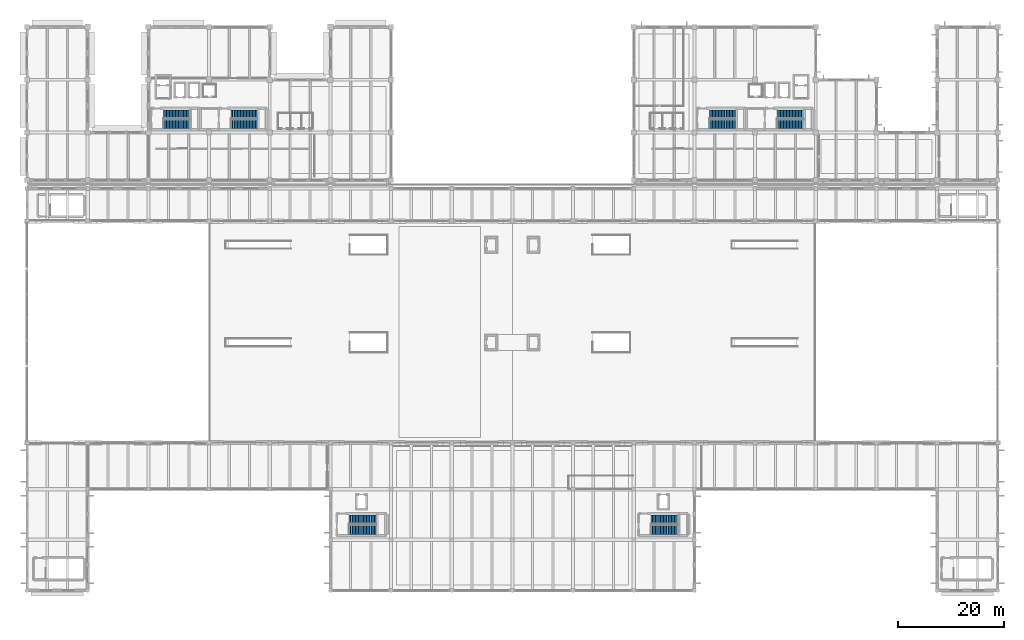
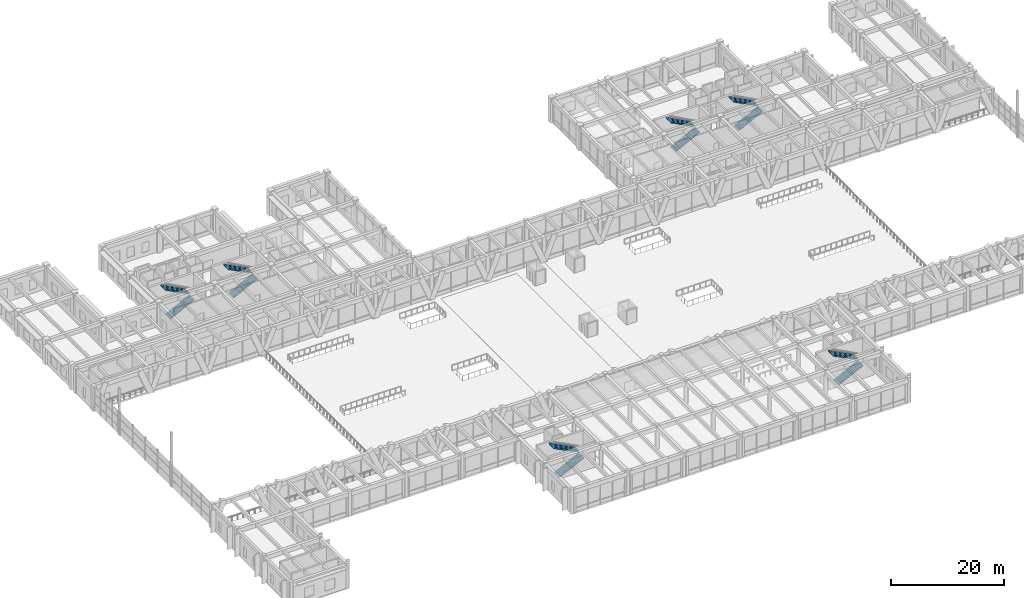
# One storey, part 135 of 148: 12 stair flights, 6 elements without a shape of their own.
"""IFC4 building model written with IfcOpenShell, lengths in metres."""

from ifc_helpers import new_model, si_unit, direction, frame, origin, place, context, subcontext, project, spatial, polyline, outline, extrude, material, type_object, element, aggregate, save


model = new_model("IFC4")

# Units and contexts
model_context = context("Model", 3, precision=1e-05, world=origin(), true_north=direction((0.0, 1.0)))
body_context = subcontext(model_context, "Body", "Model", "MODEL_VIEW")
ifc_project = project(units=[si_unit("LENGTHUNIT", "METRE"), si_unit("AREAUNIT", "SQUARE_METRE"), si_unit("VOLUMEUNIT", "CUBIC_METRE"), si_unit("PLANEANGLEUNIT", "RADIAN"), si_unit("MASSUNIT", "GRAM", prefix="KILO")], contexts=[model_context])

# Site, building, storey
site_placement = place(None, origin())
site = spatial("IfcSite", under=ifc_project, at=site_placement, CompositionType="ELEMENT")
building_placement = place(site_placement, origin())
building = spatial("IfcBuilding", under=site, at=building_placement, Name="Ologun Quay Terminus", CompositionType="ELEMENT")
storey_placement = place(building_placement, frame((0.0, 0.0, 8.39990234375)))
storey = spatial("IfcBuildingStorey", under=building, at=storey_placement, Name="L02", CompositionType="ELEMENT", Elevation=8.39990234375)

# Stair, stair flights
ifc_material_1 = material(Name="Concrete C40/50", Category="concrete")
stair_type_1 = type_object("IfcStairType", Name="Courtyard Wing Concourse Core Stair 1700", PredefinedType="HALF_TURN_STAIR", material=ifc_material_1)
stair_1_placement = place(storey_placement, origin())
stair_1 = element("IfcStair", 1, at=stair_1_placement, inside=storey, type_object=stair_type_1, Name="ST-W1 Stair L02", PredefinedType="HALF_TURN_STAIR")
ifc_material_2 = material(Name="Concrete C40/50", Category="concrete")
stair_flight_type_1 = type_object("IfcStairFlightType", Name="Courtyard Wing Precast Concrete Stair Flight 1700", PredefinedType="STRAIGHT", material=ifc_material_2)
stair_flight_1_placement = place(storey_placement, frame((25.85009765625, 96.449951171875, 0.0), z_axis=(0.0, 0.0, 1.0), x_axis=(1.0, 0.0, 0.0)))
stair_flight_1 = element("IfcStairFlight", 2, at=stair_flight_1_placement, type_object=stair_flight_type_1, Name="ST-W1 Lower Flight L02", NumberOfRisers=18, NumberOfTreads=17, PredefinedType="STRAIGHT", RiserHeight=0.15, TreadLength=0.29, context=body_context, shape_type="SweptSolid", body=[
    extrude(outline(polyline([(0.0, 0.0), (0.0, 0.14990234375), (0.2900390625, 0.14990234375), (0.2900390625, 0.300048828125), (0.580078125, 0.300048828125), (0.580078125, 0.449951171875), (0.8701171875, 0.449951171875), (0.8701171875, 0.60009765625), (1.159912109375, 0.60009765625), (1.159912109375, 0.75), (1.449951171875, 0.75), (1.449951171875, 0.89990234375), (1.739990234375, 0.89990234375), (1.739990234375, 1.050048828125), (2.030029296875, 1.050048828125), (2.030029296875, 1.199951171875), (2.320068359375, 1.199951171875), (2.320068359375, 1.35009765625), (2.610107421875, 1.35009765625), (2.610107421875, 1.5), (2.89990234375, 1.5), (2.89990234375, 1.64990234375), (3.18994140625, 1.64990234375), (3.18994140625, 1.800048828125), (3.47998046875, 1.800048828125), (3.47998046875, 1.949951171875), (3.77001953125, 1.949951171875), (3.77001953125, 2.10009765625), (4.06005859375, 2.10009765625), (4.06005859375, 2.25), (4.35009765625, 2.25), (4.35009765625, 2.39990234375), (4.639892578125, 2.39990234375), (4.639892578125, 2.550048828125), (4.929931640625, 2.550048828125), (4.929931640625, 2.699951171875), (4.929931640625, 2.347412109375), (0.3916015625, 0.0), (0.0, 0.0)])), frame((0.0, 0.85009765625, 0.0), z_axis=(0.0, -1.0, 0.0), x_axis=(1.0, 0.0, 0.0)), (0.0, 0.0, 1.0), 1.699951171875),
])
stair_flight_2_placement = place(storey_placement, frame((30.780029296875, 98.25, 2.7001953125), z_axis=(0.0, 0.0, 1.0), x_axis=(-1.0, 0.0, 0.0)))
stair_flight_2 = element("IfcStairFlight", 3, at=stair_flight_2_placement, type_object=stair_flight_type_1, Name="ST-W1 Upper Flight L02", NumberOfRisers=18, NumberOfTreads=17, PredefinedType="STRAIGHT", RiserHeight=0.15, TreadLength=0.29, context=body_context, shape_type="SweptSolid", body=[
    extrude(outline(polyline([(0.0, 0.0), (0.0, 0.14990234375), (0.2900390625, 0.14990234375), (0.2900390625, 0.300048828125), (0.580078125, 0.300048828125), (0.580078125, 0.449951171875), (0.8701171875, 0.449951171875), (0.8701171875, 0.60009765625), (1.159912109375, 0.60009765625), (1.159912109375, 0.75), (1.449951171875, 0.75), (1.449951171875, 0.89990234375), (1.739990234375, 0.89990234375), (1.739990234375, 1.050048828125), (2.030029296875, 1.050048828125), (2.030029296875, 1.199951171875), (2.320068359375, 1.199951171875), (2.320068359375, 1.35009765625), (2.610107421875, 1.35009765625), (2.610107421875, 1.5), (2.89990234375, 1.5), (2.89990234375, 1.64990234375), (3.18994140625, 1.64990234375), (3.18994140625, 1.800048828125), (3.47998046875, 1.800048828125), (3.47998046875, 1.949951171875), (3.77001953125, 1.949951171875), (3.77001953125, 2.10009765625), (4.06005859375, 2.10009765625), (4.06005859375, 2.25), (4.35009765625, 2.25), (4.35009765625, 2.39990234375), (4.639892578125, 2.39990234375), (4.639892578125, 2.550048828125), (4.929931640625, 2.550048828125), (4.929931640625, 2.699951171875), (4.929931640625, 2.347412109375), (0.3916015625, 0.0), (0.0, 0.0)])), frame((0.0, 0.85009765625, 0.0), z_axis=(0.0, -1.0, 0.0), x_axis=(1.0, 0.0, 0.0)), (0.0, 0.0, 1.0), 1.699951171875),
])
aggregate(stair_1, [stair_flight_1, stair_flight_2])

stair_2_placement = place(storey_placement, origin())
stair_2 = element("IfcStair", 4, at=stair_2_placement, inside=storey, type_object=stair_type_1, Name="ST-W2 Stair L02", PredefinedType="HALF_TURN_STAIR")
stair_flight_3_placement = place(storey_placement, frame((38.699951171875, 96.449951171875, 0.0), z_axis=(0.0, 0.0, 1.0), x_axis=(1.0, 0.0, 0.0)))
stair_flight_3 = element("IfcStairFlight", 5, at=stair_flight_3_placement, type_object=stair_flight_type_1, Name="ST-W2 Lower Flight L02", NumberOfRisers=18, NumberOfTreads=17, PredefinedType="STRAIGHT", RiserHeight=0.15, TreadLength=0.29, context=body_context, shape_type="SweptSolid", body=[
    extrude(outline(polyline([(0.0, 0.0), (0.0, 0.14990234375), (0.2900390625, 0.14990234375), (0.2900390625, 0.300048828125), (0.580078125, 0.300048828125), (0.580078125, 0.449951171875), (0.8701171875, 0.449951171875), (0.8701171875, 0.60009765625), (1.159912109375, 0.60009765625), (1.159912109375, 0.75), (1.449951171875, 0.75), (1.449951171875, 0.89990234375), (1.739990234375, 0.89990234375), (1.739990234375, 1.050048828125), (2.030029296875, 1.050048828125), (2.030029296875, 1.199951171875), (2.320068359375, 1.199951171875), (2.320068359375, 1.35009765625), (2.610107421875, 1.35009765625), (2.610107421875, 1.5), (2.89990234375, 1.5), (2.89990234375, 1.64990234375), (3.18994140625, 1.64990234375), (3.18994140625, 1.800048828125), (3.47998046875, 1.800048828125), (3.47998046875, 1.949951171875), (3.77001953125, 1.949951171875), (3.77001953125, 2.10009765625), (4.06005859375, 2.10009765625), (4.06005859375, 2.25), (4.35009765625, 2.25), (4.35009765625, 2.39990234375), (4.639892578125, 2.39990234375), (4.639892578125, 2.550048828125), (4.929931640625, 2.550048828125), (4.929931640625, 2.699951171875), (4.929931640625, 2.347412109375), (0.3916015625, 0.0), (0.0, 0.0)])), frame((0.0, 0.85009765625, 0.0), z_axis=(0.0, -1.0, 0.0), x_axis=(1.0, 0.0, 0.0)), (0.0, 0.0, 1.0), 1.699951171875),
])
stair_flight_4_placement = place(storey_placement, frame((43.6298828125, 98.25, 2.7001953125), z_axis=(0.0, 0.0, 1.0), x_axis=(-1.0, 0.0, 0.0)))
stair_flight_4 = element("IfcStairFlight", 6, at=stair_flight_4_placement, type_object=stair_flight_type_1, Name="ST-W2 Upper Flight L02", NumberOfRisers=18, NumberOfTreads=17, PredefinedType="STRAIGHT", RiserHeight=0.15, TreadLength=0.29, context=body_context, shape_type="SweptSolid", body=[
    extrude(outline(polyline([(0.0, 0.0), (0.0, 0.14990234375), (0.2900390625, 0.14990234375), (0.2900390625, 0.300048828125), (0.580078125, 0.300048828125), (0.580078125, 0.449951171875), (0.8701171875, 0.449951171875), (0.8701171875, 0.60009765625), (1.159912109375, 0.60009765625), (1.159912109375, 0.75), (1.449951171875, 0.75), (1.449951171875, 0.89990234375), (1.739990234375, 0.89990234375), (1.739990234375, 1.050048828125), (2.030029296875, 1.050048828125), (2.030029296875, 1.199951171875), (2.320068359375, 1.199951171875), (2.320068359375, 1.35009765625), (2.610107421875, 1.35009765625), (2.610107421875, 1.5), (2.89990234375, 1.5), (2.89990234375, 1.64990234375), (3.18994140625, 1.64990234375), (3.18994140625, 1.800048828125), (3.47998046875, 1.800048828125), (3.47998046875, 1.949951171875), (3.77001953125, 1.949951171875), (3.77001953125, 2.10009765625), (4.06005859375, 2.10009765625), (4.06005859375, 2.25), (4.35009765625, 2.25), (4.35009765625, 2.39990234375), (4.639892578125, 2.39990234375), (4.639892578125, 2.550048828125), (4.929931640625, 2.550048828125), (4.929931640625, 2.699951171875), (4.929931640625, 2.347412109375), (0.3916015625, 0.0), (0.0, 0.0)])), frame((0.0, 0.85009765625, 0.0), z_axis=(0.0, -1.0, 0.0), x_axis=(1.0, 0.0, 0.0)), (0.0, 0.0, 1.0), 1.699951171875),
])
aggregate(stair_2, [stair_flight_3, stair_flight_4])

stair_3_placement = place(storey_placement, origin())
stair_3 = element("IfcStair", 7, at=stair_3_placement, inside=storey, type_object=stair_type_1, Name="ST-E1 Stair L02", PredefinedType="HALF_TURN_STAIR")
stair_flight_5_placement = place(storey_placement, frame((129.35009765625, 96.449951171875, 0.0), z_axis=(0.0, 0.0, 1.0), x_axis=(1.0, 0.0, 0.0)))
stair_flight_5 = element("IfcStairFlight", 8, at=stair_flight_5_placement, type_object=stair_flight_type_1, Name="ST-E1 Lower Flight L02", NumberOfRisers=18, NumberOfTreads=17, PredefinedType="STRAIGHT", RiserHeight=0.15, TreadLength=0.29, context=body_context, shape_type="SweptSolid", body=[
    extrude(outline(polyline([(0.0, 0.0), (0.0, 0.14990234375), (0.2900390625, 0.14990234375), (0.2900390625, 0.300048828125), (0.580078125, 0.300048828125), (0.580078125, 0.449951171875), (0.8701171875, 0.449951171875), (0.8701171875, 0.60009765625), (1.159912109375, 0.60009765625), (1.159912109375, 0.75), (1.449951171875, 0.75), (1.449951171875, 0.89990234375), (1.739990234375, 0.89990234375), (1.739990234375, 1.050048828125), (2.030029296875, 1.050048828125), (2.030029296875, 1.199951171875), (2.320068359375, 1.199951171875), (2.320068359375, 1.35009765625), (2.610107421875, 1.35009765625), (2.610107421875, 1.5), (2.89990234375, 1.5), (2.89990234375, 1.64990234375), (3.18994140625, 1.64990234375), (3.18994140625, 1.800048828125), (3.47998046875, 1.800048828125), (3.47998046875, 1.949951171875), (3.77001953125, 1.949951171875), (3.77001953125, 2.10009765625), (4.06005859375, 2.10009765625), (4.06005859375, 2.25), (4.35009765625, 2.25), (4.35009765625, 2.39990234375), (4.639892578125, 2.39990234375), (4.639892578125, 2.550048828125), (4.929931640625, 2.550048828125), (4.929931640625, 2.699951171875), (4.929931640625, 2.347412109375), (0.3916015625, 0.0), (0.0, 0.0)])), frame((0.0, 0.85009765625, 0.0), z_axis=(0.0, -1.0, 0.0), x_axis=(1.0, 0.0, 0.0)), (0.0, 0.0, 1.0), 1.699951171875),
])
stair_flight_6_placement = place(storey_placement, frame((134.280029296875, 98.25, 2.7001953125), z_axis=(0.0, 0.0, 1.0), x_axis=(-1.0, 0.0, 0.0)))
stair_flight_6 = element("IfcStairFlight", 9, at=stair_flight_6_placement, type_object=stair_flight_type_1, Name="ST-E1 Upper Flight L02", NumberOfRisers=18, NumberOfTreads=17, PredefinedType="STRAIGHT", RiserHeight=0.15, TreadLength=0.29, context=body_context, shape_type="SweptSolid", body=[
    extrude(outline(polyline([(0.0, 0.0), (0.0, 0.14990234375), (0.2900390625, 0.14990234375), (0.2900390625, 0.300048828125), (0.580078125, 0.300048828125), (0.580078125, 0.449951171875), (0.8701171875, 0.449951171875), (0.8701171875, 0.60009765625), (1.159912109375, 0.60009765625), (1.159912109375, 0.75), (1.449951171875, 0.75), (1.449951171875, 0.89990234375), (1.739990234375, 0.89990234375), (1.739990234375, 1.050048828125), (2.030029296875, 1.050048828125), (2.030029296875, 1.199951171875), (2.320068359375, 1.199951171875), (2.320068359375, 1.35009765625), (2.610107421875, 1.35009765625), (2.610107421875, 1.5), (2.89990234375, 1.5), (2.89990234375, 1.64990234375), (3.18994140625, 1.64990234375), (3.18994140625, 1.800048828125), (3.47998046875, 1.800048828125), (3.47998046875, 1.949951171875), (3.77001953125, 1.949951171875), (3.77001953125, 2.10009765625), (4.06005859375, 2.10009765625), (4.06005859375, 2.25), (4.35009765625, 2.25), (4.35009765625, 2.39990234375), (4.639892578125, 2.39990234375), (4.639892578125, 2.550048828125), (4.929931640625, 2.550048828125), (4.929931640625, 2.699951171875), (4.929931640625, 2.347412109375), (0.3916015625, 0.0), (0.0, 0.0)])), frame((0.0, 0.85009765625, 0.0), z_axis=(0.0, -1.0, 0.0), x_axis=(1.0, 0.0, 0.0)), (0.0, 0.0, 1.0), 1.699951171875),
])
aggregate(stair_3, [stair_flight_5, stair_flight_6])

stair_4_placement = place(storey_placement, origin())
stair_4 = element("IfcStair", 10, at=stair_4_placement, inside=storey, type_object=stair_type_1, Name="ST-E2 Stair L02", PredefinedType="HALF_TURN_STAIR")
stair_flight_7_placement = place(storey_placement, frame((142.199951171875, 96.449951171875, 0.0), z_axis=(0.0, 0.0, 1.0), x_axis=(1.0, 0.0, 0.0)))
stair_flight_7 = element("IfcStairFlight", 11, at=stair_flight_7_placement, type_object=stair_flight_type_1, Name="ST-E2 Lower Flight L02", NumberOfRisers=18, NumberOfTreads=17, PredefinedType="STRAIGHT", RiserHeight=0.15, TreadLength=0.29, context=body_context, shape_type="SweptSolid", body=[
    extrude(outline(polyline([(0.0, 0.0), (0.0, 0.14990234375), (0.2900390625, 0.14990234375), (0.2900390625, 0.300048828125), (0.580078125, 0.300048828125), (0.580078125, 0.449951171875), (0.8701171875, 0.449951171875), (0.8701171875, 0.60009765625), (1.159912109375, 0.60009765625), (1.159912109375, 0.75), (1.449951171875, 0.75), (1.449951171875, 0.89990234375), (1.739990234375, 0.89990234375), (1.739990234375, 1.050048828125), (2.030029296875, 1.050048828125), (2.030029296875, 1.199951171875), (2.320068359375, 1.199951171875), (2.320068359375, 1.35009765625), (2.610107421875, 1.35009765625), (2.610107421875, 1.5), (2.89990234375, 1.5), (2.89990234375, 1.64990234375), (3.18994140625, 1.64990234375), (3.18994140625, 1.800048828125), (3.47998046875, 1.800048828125), (3.47998046875, 1.949951171875), (3.77001953125, 1.949951171875), (3.77001953125, 2.10009765625), (4.06005859375, 2.10009765625), (4.06005859375, 2.25), (4.35009765625, 2.25), (4.35009765625, 2.39990234375), (4.639892578125, 2.39990234375), (4.639892578125, 2.550048828125), (4.929931640625, 2.550048828125), (4.929931640625, 2.699951171875), (4.929931640625, 2.347412109375), (0.3916015625, 0.0), (0.0, 0.0)])), frame((0.0, 0.85009765625, 0.0), z_axis=(0.0, -1.0, 0.0), x_axis=(1.0, 0.0, 0.0)), (0.0, 0.0, 1.0), 1.699951171875),
])
stair_flight_8_placement = place(storey_placement, frame((147.1298828125, 98.25, 2.7001953125), z_axis=(0.0, 0.0, 1.0), x_axis=(-1.0, 0.0, 0.0)))
stair_flight_8 = element("IfcStairFlight", 12, at=stair_flight_8_placement, type_object=stair_flight_type_1, Name="ST-E2 Upper Flight L02", NumberOfRisers=18, NumberOfTreads=17, PredefinedType="STRAIGHT", RiserHeight=0.15, TreadLength=0.29, context=body_context, shape_type="SweptSolid", body=[
    extrude(outline(polyline([(0.0, 0.0), (0.0, 0.14990234375), (0.2900390625, 0.14990234375), (0.2900390625, 0.300048828125), (0.580078125, 0.300048828125), (0.580078125, 0.449951171875), (0.8701171875, 0.449951171875), (0.8701171875, 0.60009765625), (1.159912109375, 0.60009765625), (1.159912109375, 0.75), (1.449951171875, 0.75), (1.449951171875, 0.89990234375), (1.739990234375, 0.89990234375), (1.739990234375, 1.050048828125), (2.030029296875, 1.050048828125), (2.030029296875, 1.199951171875), (2.320068359375, 1.199951171875), (2.320068359375, 1.35009765625), (2.610107421875, 1.35009765625), (2.610107421875, 1.5), (2.89990234375, 1.5), (2.89990234375, 1.64990234375), (3.18994140625, 1.64990234375), (3.18994140625, 1.800048828125), (3.47998046875, 1.800048828125), (3.47998046875, 1.949951171875), (3.77001953125, 1.949951171875), (3.77001953125, 2.10009765625), (4.06005859375, 2.10009765625), (4.06005859375, 2.25), (4.35009765625, 2.25), (4.35009765625, 2.39990234375), (4.639892578125, 2.39990234375), (4.639892578125, 2.550048828125), (4.929931640625, 2.550048828125), (4.929931640625, 2.699951171875), (4.929931640625, 2.347412109375), (0.3916015625, 0.0), (0.0, 0.0)])), frame((0.0, 0.85009765625, 0.0), z_axis=(0.0, -1.0, 0.0), x_axis=(1.0, 0.0, 0.0)), (0.0, 0.0, 1.0), 1.699951171875),
])
aggregate(stair_4, [stair_flight_7, stair_flight_8])

ifc_material_3 = material(Name="Concrete C40/50", Category="concrete")
stair_type_2 = type_object("IfcStairType", Name="Station Concourse Escape Stair 1800", PredefinedType="HALF_TURN_STAIR", material=ifc_material_3)
stair_5_placement = place(storey_placement, origin())
stair_5 = element("IfcStair", 13, at=stair_5_placement, inside=storey, type_object=stair_type_2, Name="ST-S3 Stair L02", PredefinedType="HALF_TURN_STAIR")
ifc_material_4 = material(Name="Concrete C40/50", Category="concrete")
stair_flight_type_2 = type_object("IfcStairFlightType", Name="Station Precast Concrete Stair Flight 1800", PredefinedType="STRAIGHT", material=ifc_material_4)
stair_flight_9_placement = place(storey_placement, frame((61.050048828125, 19.550048828125, 0.0), z_axis=(0.0, 0.0, 1.0), x_axis=(1.0, 0.0, 0.0)))
stair_flight_9 = element("IfcStairFlight", 14, at=stair_flight_9_placement, type_object=stair_flight_type_2, Name="ST-S3 Lower Flight L02", NumberOfRisers=18, NumberOfTreads=17, PredefinedType="STRAIGHT", RiserHeight=0.15, TreadLength=0.3, context=body_context, shape_type="SweptSolid", body=[
    extrude(outline(polyline([(0.0, 0.0), (0.0, 0.14990234375), (0.300048828125, 0.14990234375), (0.300048828125, 0.300048828125), (0.60009765625, 0.300048828125), (0.60009765625, 0.449951171875), (0.89990234375, 0.449951171875), (0.89990234375, 0.60009765625), (1.199951171875, 0.60009765625), (1.199951171875, 0.75), (1.5, 0.75), (1.5, 0.89990234375), (1.800048828125, 0.89990234375), (1.800048828125, 1.050048828125), (2.10009765625, 1.050048828125), (2.10009765625, 1.199951171875), (2.39990234375, 1.199951171875), (2.39990234375, 1.35009765625), (2.699951171875, 1.35009765625), (2.699951171875, 1.5), (3.0, 1.5), (3.0, 1.64990234375), (3.300048828125, 1.64990234375), (3.300048828125, 1.800048828125), (3.60009765625, 1.800048828125), (3.60009765625, 1.949951171875), (3.89990234375, 1.949951171875), (3.89990234375, 2.10009765625), (4.199951171875, 2.10009765625), (4.199951171875, 2.25), (4.5, 2.25), (4.5, 2.39990234375), (4.800048828125, 2.39990234375), (4.800048828125, 2.550048828125), (5.10009765625, 2.550048828125), (5.10009765625, 2.699951171875), (5.10009765625, 2.326416015625), (0.447021484375, 0.0), (0.0, 0.0)])), frame((0.0, 0.89990234375, 0.0), z_axis=(0.0, -1.0, 0.0), x_axis=(1.0, 0.0, 0.0)), (0.0, 0.0, 1.0), 1.800048828125),
])
stair_flight_10_placement = place(storey_placement, frame((66.14990234375, 21.449951171875, 2.7001953125), z_axis=(0.0, 0.0, 1.0), x_axis=(-1.0, 0.0, 0.0)))
stair_flight_10 = element("IfcStairFlight", 15, at=stair_flight_10_placement, type_object=stair_flight_type_2, Name="ST-S3 Upper Flight L02", NumberOfRisers=18, NumberOfTreads=17, PredefinedType="STRAIGHT", RiserHeight=0.15, TreadLength=0.3, context=body_context, shape_type="SweptSolid", body=[
    extrude(outline(polyline([(0.0, 0.0), (0.0, 0.14990234375), (0.300048828125, 0.14990234375), (0.300048828125, 0.300048828125), (0.60009765625, 0.300048828125), (0.60009765625, 0.449951171875), (0.89990234375, 0.449951171875), (0.89990234375, 0.60009765625), (1.199951171875, 0.60009765625), (1.199951171875, 0.75), (1.5, 0.75), (1.5, 0.89990234375), (1.800048828125, 0.89990234375), (1.800048828125, 1.050048828125), (2.10009765625, 1.050048828125), (2.10009765625, 1.199951171875), (2.39990234375, 1.199951171875), (2.39990234375, 1.35009765625), (2.699951171875, 1.35009765625), (2.699951171875, 1.5), (3.0, 1.5), (3.0, 1.64990234375), (3.300048828125, 1.64990234375), (3.300048828125, 1.800048828125), (3.60009765625, 1.800048828125), (3.60009765625, 1.949951171875), (3.89990234375, 1.949951171875), (3.89990234375, 2.10009765625), (4.199951171875, 2.10009765625), (4.199951171875, 2.25), (4.5, 2.25), (4.5, 2.39990234375), (4.800048828125, 2.39990234375), (4.800048828125, 2.550048828125), (5.10009765625, 2.550048828125), (5.10009765625, 2.699951171875), (5.10009765625, 2.326416015625), (0.447021484375, 0.0), (0.0, 0.0)])), frame((0.0, 0.89990234375, 0.0), z_axis=(0.0, -1.0, 0.0), x_axis=(1.0, 0.0, 0.0)), (0.0, 0.0, 1.0), 1.800048828125),
])
aggregate(stair_5, [stair_flight_9, stair_flight_10])

stair_6_placement = place(storey_placement, origin())
stair_6 = element("IfcStair", 16, at=stair_6_placement, inside=storey, type_object=stair_type_2, Name="ST-S4 Stair L02", PredefinedType="HALF_TURN_STAIR")
stair_flight_11_placement = place(storey_placement, frame((118.25, 19.550048828125, 0.0), z_axis=(0.0, 0.0, 1.0), x_axis=(1.0, 0.0, 0.0)))
stair_flight_11 = element("IfcStairFlight", 17, at=stair_flight_11_placement, type_object=stair_flight_type_2, Name="ST-S4 Lower Flight L02", NumberOfRisers=18, NumberOfTreads=17, PredefinedType="STRAIGHT", RiserHeight=0.15, TreadLength=0.3, context=body_context, shape_type="SweptSolid", body=[
    extrude(outline(polyline([(0.0, 0.0), (0.0, 0.14990234375), (0.300048828125, 0.14990234375), (0.300048828125, 0.300048828125), (0.60009765625, 0.300048828125), (0.60009765625, 0.449951171875), (0.89990234375, 0.449951171875), (0.89990234375, 0.60009765625), (1.199951171875, 0.60009765625), (1.199951171875, 0.75), (1.5, 0.75), (1.5, 0.89990234375), (1.800048828125, 0.89990234375), (1.800048828125, 1.050048828125), (2.10009765625, 1.050048828125), (2.10009765625, 1.199951171875), (2.39990234375, 1.199951171875), (2.39990234375, 1.35009765625), (2.699951171875, 1.35009765625), (2.699951171875, 1.5), (3.0, 1.5), (3.0, 1.64990234375), (3.300048828125, 1.64990234375), (3.300048828125, 1.800048828125), (3.60009765625, 1.800048828125), (3.60009765625, 1.949951171875), (3.89990234375, 1.949951171875), (3.89990234375, 2.10009765625), (4.199951171875, 2.10009765625), (4.199951171875, 2.25), (4.5, 2.25), (4.5, 2.39990234375), (4.800048828125, 2.39990234375), (4.800048828125, 2.550048828125), (5.10009765625, 2.550048828125), (5.10009765625, 2.699951171875), (5.10009765625, 2.326416015625), (0.447021484375, 0.0), (0.0, 0.0)])), frame((0.0, 0.89990234375, 0.0), z_axis=(0.0, -1.0, 0.0), x_axis=(1.0, 0.0, 0.0)), (0.0, 0.0, 1.0), 1.800048828125),
])
stair_flight_12_placement = place(storey_placement, frame((123.35009765625, 21.449951171875, 2.7001953125), z_axis=(0.0, 0.0, 1.0), x_axis=(-1.0, 0.0, 0.0)))
stair_flight_12 = element("IfcStairFlight", 18, at=stair_flight_12_placement, type_object=stair_flight_type_2, Name="ST-S4 Upper Flight L02", NumberOfRisers=18, NumberOfTreads=17, PredefinedType="STRAIGHT", RiserHeight=0.15, TreadLength=0.3, context=body_context, shape_type="SweptSolid", body=[
    extrude(outline(polyline([(0.0, 0.0), (0.0, 0.14990234375), (0.300048828125, 0.14990234375), (0.300048828125, 0.300048828125), (0.60009765625, 0.300048828125), (0.60009765625, 0.449951171875), (0.89990234375, 0.449951171875), (0.89990234375, 0.60009765625), (1.199951171875, 0.60009765625), (1.199951171875, 0.75), (1.5, 0.75), (1.5, 0.89990234375), (1.800048828125, 0.89990234375), (1.800048828125, 1.050048828125), (2.10009765625, 1.050048828125), (2.10009765625, 1.199951171875), (2.39990234375, 1.199951171875), (2.39990234375, 1.35009765625), (2.699951171875, 1.35009765625), (2.699951171875, 1.5), (3.0, 1.5), (3.0, 1.64990234375), (3.300048828125, 1.64990234375), (3.300048828125, 1.800048828125), (3.60009765625, 1.800048828125), (3.60009765625, 1.949951171875), (3.89990234375, 1.949951171875), (3.89990234375, 2.10009765625), (4.199951171875, 2.10009765625), (4.199951171875, 2.25), (4.5, 2.25), (4.5, 2.39990234375), (4.800048828125, 2.39990234375), (4.800048828125, 2.550048828125), (5.10009765625, 2.550048828125), (5.10009765625, 2.699951171875), (5.10009765625, 2.326416015625), (0.447021484375, 0.0), (0.0, 0.0)])), frame((0.0, 0.89990234375, 0.0), z_axis=(0.0, -1.0, 0.0), x_axis=(1.0, 0.0, 0.0)), (0.0, 0.0, 1.0), 1.800048828125),
])
aggregate(stair_6, [stair_flight_11, stair_flight_12])

save(model, "model.ifc")
